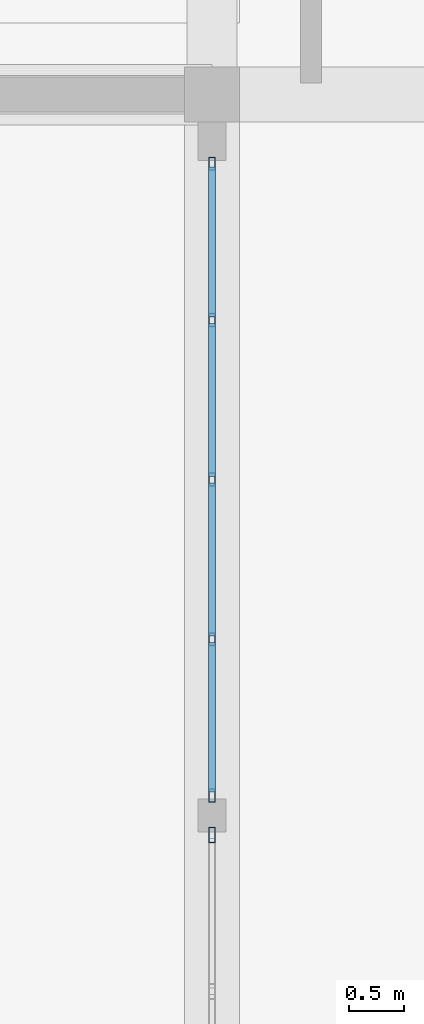
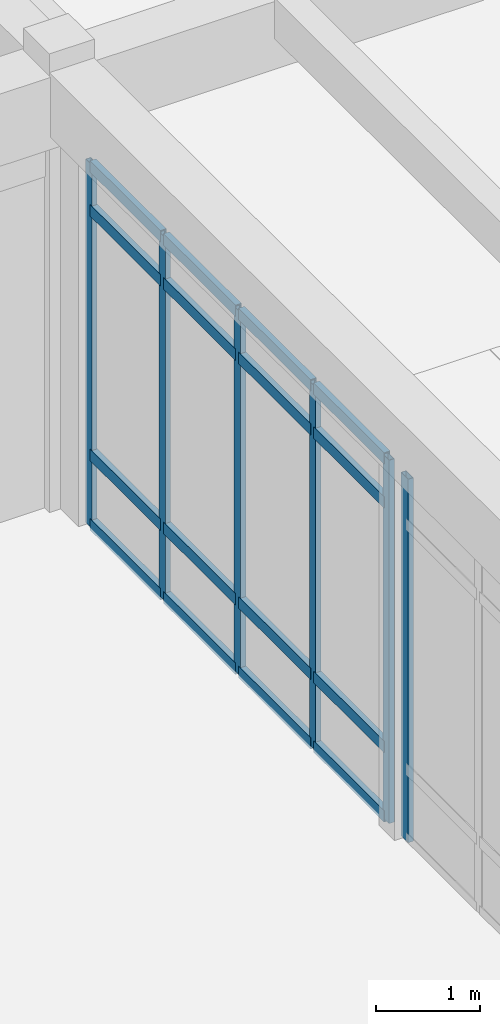
# One storey, part 45 of 138: 22 members, 2 elements without a shape of their own.
"""IFC4 building model written with IfcOpenShell, lengths in metres."""

import ifcopenshell
import ifcopenshell.guid

model = None  # the IFC model being written
_history = None  # IfcOwnerHistory: only IFC2X3 demands one
_inside = {}  # id of a spatial element -> (the spatial element, [elements in it])
_under = {}  # id of a project, library or spatial element -> (it, [spatial elements below it])
_declared = {}  # id of a project -> (the project, [libraries it declares])
_typed = {}  # id of a type object -> (the type object, [elements of that type])
_made_of = {}  # id of a material, layer set ... -> (it, [elements and type objects made of it])


def new_model(schema):
    """Start an empty IFC model of exactly this schema.

    Asked for "IFC4X3", IfcOpenShell would pick the latest addendum, in which some entities
    have other attributes; the version numbers below select the first issue.
    IFC2X3 requires an IfcOwnerHistory on every rooted entity: one is made here for all.
    """
    global model, _history
    if schema == "IFC4X3":
        model = ifcopenshell.file(schema_version=(4, 3, 0, 0))
    else:
        model = ifcopenshell.file(schema=schema)
    _inside.clear()
    _under.clear()
    _declared.clear()
    _typed.clear()
    _made_of.clear()
    _history = None
    if model.schema == "IFC2X3":
        org = make("IfcOrganization", Name="unknown")
        user = make(
            "IfcPersonAndOrganization",
            ThePerson=make("IfcPerson", FamilyName="unknown"),
            TheOrganization=org,
        )
        app = make(
            "IfcApplication",
            ApplicationDeveloper=org,
            Version="unknown",
            ApplicationFullName="unknown",
            ApplicationIdentifier="unknown",
        )
        _history = make(
            "IfcOwnerHistory",
            OwningUser=user,
            OwningApplication=app,
            ChangeAction="ADDED",
            CreationDate=0,
        )
    return model


def make(cls, **values):
    """One entity of the class cls with the attributes given. An attribute that is None is left unset."""
    return model.create_entity(
        cls, **{name: value for name, value in values.items() if value is not None}
    )


def rooted(cls, **values):
    """An entity with a GlobalId (a new one), such as an element, a storey or a relation."""
    return make(cls, GlobalId=ifcopenshell.guid.new(), OwnerHistory=_history, **values)


def si_unit(unit_type, name, prefix=None):
    """IfcSIUnit, for example si_unit("LENGTHUNIT", "METRE", prefix="MILLI")."""
    return make("IfcSIUnit", UnitType=unit_type, Prefix=prefix, Name=name)


def assignment(units):
    """IfcUnitAssignment: the units of a project."""
    return None if units is None else make("IfcUnitAssignment", Units=units)


def point(xyz):
    """IfcCartesianPoint."""
    return None if xyz is None else make("IfcCartesianPoint", Coordinates=xyz)


def direction(xyz):
    """IfcDirection."""
    return None if xyz is None else make("IfcDirection", DirectionRatios=xyz)


def frame(location, z_axis=None, x_axis=None):
    """IfcAxis2Placement3D, a coordinate frame: its origin and axes. An axis left out is left unset."""
    return make(
        "IfcAxis2Placement3D",
        Location=point(location),
        Axis=direction(z_axis),
        RefDirection=direction(x_axis),
    )


def frame_2d(location, x_axis=None):
    """IfcAxis2Placement2D, a coordinate frame in the plane: its origin and x axis."""
    return make(
        "IfcAxis2Placement2D", Location=point(location), RefDirection=direction(x_axis)
    )


def origin():
    """The frame at (0, 0, 0) with its axes left unset."""
    return frame((0.0, 0.0, 0.0))


def origin_2d():
    """The frame at (0, 0) in the plane with its x axis left unset."""
    return frame_2d((0.0, 0.0))


def place(relative_to, where):
    """IfcLocalPlacement: puts the frame where relative to a parent placement (None: the world)."""
    return make(
        "IfcLocalPlacement", PlacementRelTo=relative_to, RelativePlacement=where
    )


def context(
    kind, dimensions, precision=None, world=None, true_north=None, identifier=None
):
    """IfcGeometricRepresentationContext, for example the 3D "Model" context."""
    return make(
        "IfcGeometricRepresentationContext",
        ContextIdentifier=identifier,
        ContextType=kind,
        CoordinateSpaceDimension=dimensions,
        Precision=precision,
        WorldCoordinateSystem=world,
        TrueNorth=true_north,
    )


def subcontext(parent, identifier, kind, view, scale=None):
    """IfcGeometricRepresentationSubContext, for example "Body" below "Model"."""
    return make(
        "IfcGeometricRepresentationSubContext",
        ContextIdentifier=identifier,
        ContextType=kind,
        ParentContext=parent,
        TargetScale=scale,
        TargetView=view,
    )


def project(units=None, contexts=None):
    """IfcProject with its units and contexts."""
    return rooted(
        "IfcProject",
        Name="project",
        RepresentationContexts=contexts,
        UnitsInContext=assignment(units),
    )


def spatial(cls, under=None, at=None, **own):
    """A site, building, storey or space (cls), placed at a placement, below another one or the project."""
    s = rooted(cls, ObjectPlacement=at, **own)
    if under is not None:
        _under.setdefault(under.id(), (under, []))[1].append(s)
    return s


def profile(cls, at=None, kind="AREA", **sizes):
    """A parametric profile (cls). Its sizes go by their IFC names, for example OverallWidth=200.0."""
    return make(cls, ProfileType=kind, Position=at, **sizes)


def hollow_rectangle(**sizes):
    """IfcRectangleHollowProfileDef."""
    return profile("IfcRectangleHollowProfileDef", **sizes)


def extrude(swept, where, along, depth):
    """IfcExtrudedAreaSolid: the profile swept, set in the frame where, extruded along a direction by depth."""
    return make(
        "IfcExtrudedAreaSolid",
        SweptArea=swept,
        Position=where,
        ExtrudedDirection=direction(along),
        Depth=depth,
    )


def shape(context_of_items, identifier, shape_type, items):
    """IfcShapeRepresentation: the items that make up one representation, for example the "Body"."""
    return make(
        "IfcShapeRepresentation",
        ContextOfItems=context_of_items,
        RepresentationIdentifier=identifier,
        RepresentationType=shape_type,
        Items=items,
    )


def material(Name=None, Category=None):
    """IfcMaterial."""
    return make("IfcMaterial", Name=Name, Category=Category)


def layer(
    of_material, thickness, ventilated=None, Name=None, Category=None, Priority=None
):
    """IfcMaterialLayer: one layer of a wall or slab, of a material (None: an air gap)."""
    return make(
        "IfcMaterialLayer",
        Material=of_material,
        LayerThickness=thickness,
        IsVentilated=ventilated,
        Name=Name,
        Category=Category,
        Priority=Priority,
    )


def layer_set(layers, Name=None):
    """IfcMaterialLayerSet."""
    return make("IfcMaterialLayerSet", MaterialLayers=layers, LayerSetName=Name)


def material_profile(
    of_material, cross_section, Name=None, Category=None, Priority=None
):
    """IfcMaterialProfile: a cross section and its material."""
    return make(
        "IfcMaterialProfile",
        Name=Name,
        Material=of_material,
        Profile=cross_section,
        Priority=Priority,
        Category=Category,
    )


def profile_set(profiles, Name=None, composite=None):
    """IfcMaterialProfileSet."""
    return make(
        "IfcMaterialProfileSet",
        Name=Name,
        MaterialProfiles=profiles,
        CompositeProfile=composite,
    )


def made_of(thing, what):
    """Note that an element or type object is made of a material, layer set ...; save() writes the relation."""
    if what is not None:
        _made_of.setdefault(what.id(), (what, []))[1].append(thing)
    return thing


def type_object(cls, material=None, **own):
    """A type object (cls), such as IfcWallType, which elements share."""
    return made_of(rooted(cls, **own), material)


def element(
    cls,
    number,
    at=None,
    inside=None,
    cuts=None,
    type_object=None,
    material=None,
    context=None,
    identifier="Body",
    shape_type=None,
    held_by="IfcProductDefinitionShape",
    body=None,
    shapes=None,
    **own,
):
    """One element of the class cls, such as IfcWall. Its Tag is "e" and its number.

    at: its placement. inside: the storey or other place that contains it. cuts: it is an
    opening in that element (IfcRelVoidsElement). A single representation is given by context,
    identifier, shape_type and body (its items); several are given by shapes. held_by: the class
    of the entity that holds the representations. save() writes the other relations.
    """
    e = rooted(cls, Tag="e%d" % number, ObjectPlacement=at, **own)
    if body is not None:
        shapes = [shape(context, identifier, shape_type, body)]
    if shapes is not None:
        e.Representation = make(held_by, Representations=shapes)
    if inside is not None:
        _inside.setdefault(inside.id(), (inside, []))[1].append(e)
    if cuts is not None:
        rooted(
            "IfcRelVoidsElement", RelatingBuildingElement=cuts, RelatedOpeningElement=e
        )
    if type_object is not None:
        _typed.setdefault(type_object.id(), (type_object, []))[1].append(e)
    return made_of(e, material)


def aggregate(whole, parts):
    """IfcRelAggregates: a whole, such as a stair, and the parts it consists of."""
    return rooted("IfcRelAggregates", RelatingObject=whole, RelatedObjects=parts)


def save(model, path):
    """Write the relations noted so far, then the file.

    IfcRelAggregates (storeys below a building ...), IfcRelContainedInSpatialStructure (elements
    in a storey), IfcRelDefinesByType, IfcRelAssociatesMaterial and IfcRelDeclares: one each for
    every whole, place, type object, material and project.
    """
    for whole, parts in _under.values():
        aggregate(whole, parts)
    for where, things in _inside.values():
        rooted(
            "IfcRelContainedInSpatialStructure",
            RelatedElements=things,
            RelatingStructure=where,
        )
    for kind, things in _typed.values():
        rooted("IfcRelDefinesByType", RelatedObjects=things, RelatingType=kind)
    for what, things in _made_of.values():
        rooted("IfcRelAssociatesMaterial", RelatedObjects=things, RelatingMaterial=what)
    for by, libraries in _declared.values():
        rooted("IfcRelDeclares", RelatingContext=by, RelatedDefinitions=libraries)
    model.write(path)


model = new_model("IFC4")

# Units and contexts
model_context = context("Model", 3, precision=1e-05, world=origin(), true_north=direction((0.0, 1.0)))
body_context = subcontext(model_context, "Body", "Model", "MODEL_VIEW")
ifc_project = project(units=[si_unit("LENGTHUNIT", "METRE"), si_unit("AREAUNIT", "SQUARE_METRE"), si_unit("VOLUMEUNIT", "CUBIC_METRE"), si_unit("PLANEANGLEUNIT", "RADIAN"), si_unit("MASSUNIT", "GRAM", prefix="KILO")], contexts=[model_context])

# Site, building, storey
site_placement = place(None, origin())
site = spatial("IfcSite", under=ifc_project, at=site_placement, CompositionType="ELEMENT")
building_placement = place(site_placement, origin())
building = spatial("IfcBuilding", under=site, at=building_placement, Name="Fikremerkos Civic Library", CompositionType="ELEMENT")
storey_placement = place(building_placement, origin())
storey = spatial("IfcBuildingStorey", under=building, at=storey_placement, Name="L00", CompositionType="ELEMENT", Elevation=0.0)

# Curtain wall, member
ifc_material = material(Name="Anodized aluminium Frame", Category="aluminium")
ifc_layer_1 = layer(ifc_material, 0.159912109375, Name="Anodized aluminium Frame")
ifc_layer_set_1 = layer_set([ifc_layer_1], Name="Anodized aluminium Frame")
curtain_wall_type_1 = type_object("IfcCurtainWallType", Name="Unitised curtain wall CW-11 3200x3400", PredefinedType="USERDEFINED", material=ifc_layer_set_1)
curtain_wall_1_placement = place(storey_placement, origin())
curtain_wall_1 = element("IfcCurtainWall", 1, at=curtain_wall_1_placement, inside=storey, type_object=curtain_wall_type_1, Name="Unitised curtain wall CW-11 L00 #29", ObjectType="UNITISED CURTAIN WALL", PredefinedType="USERDEFINED")
ifc_material_profile_1 = material_profile(ifc_material, hollow_rectangle(XDim=0.06005859375, YDim=0.139892578125, WallThickness=0.00390625, at=origin_2d()), Name="ALU 140x60x4")
ifc_profile_set_1 = profile_set([ifc_material_profile_1], Name="Anodized aluminium Frame")
member_type_1 = type_object("IfcMemberType", Name="Curtain mullion CWM-03 ALU 140x60x4", PredefinedType="MULLION", material=ifc_profile_set_1)
member_1_placement = place(storey_placement, frame((124.800048828125, 89.279052734375, 0.0), z_axis=(0.0, 0.0, 1.0), x_axis=(-1.0, 0.0, 0.0)))
member_1 = element("IfcMember", 2, at=member_1_placement, type_object=member_type_1, Name="CW-11 mullion 5", PredefinedType="MULLION", context=body_context, shape_type="SweptSolid", body=[
    extrude(hollow_rectangle(XDim=0.06005859375, YDim=0.139892578125, WallThickness=0.00390625, at=origin_2d()), origin(), (0.0, 0.0, 1.0), 4.280029296875),
])
aggregate(curtain_wall_1, [member_1])

# Curtain wall, members
ifc_layer_2 = layer(ifc_material, 0.159912109375, Name="Anodized aluminium Frame")
ifc_layer_set_2 = layer_set([ifc_layer_2], Name="Anodized aluminium Frame")
curtain_wall_type_2 = type_object("IfcCurtainWallType", Name="Unitised curtain wall CW-12 4300x3400", PredefinedType="USERDEFINED", material=ifc_layer_set_2)
curtain_wall_2_placement = place(storey_placement, origin())
curtain_wall_2 = element("IfcCurtainWall", 3, at=curtain_wall_2_placement, inside=storey, type_object=curtain_wall_type_2, Name="Unitised curtain wall CW-12 L00 #30", ObjectType="UNITISED CURTAIN WALL", PredefinedType="USERDEFINED")
ifc_material_profile_2 = material_profile(ifc_material, hollow_rectangle(XDim=0.06005859375, YDim=0.1201171875, WallThickness=0.00390625, at=origin_2d()), Name="ALU 120x60x4")
ifc_profile_set_2 = profile_set([ifc_material_profile_2], Name="Anodized aluminium Frame")
member_type_2 = type_object("IfcMemberType", Name="Curtain mullion CWM-04 ALU 120x60x4", PredefinedType="MULLION", material=ifc_profile_set_2)
member_2_placement = place(storey_placement, frame((124.800048828125, 89.638916015625, 0.0), z_axis=(0.0, 0.0, 1.0), x_axis=(-1.0, 0.0, 0.0)))
member_2 = element("IfcMember", 4, at=member_2_placement, type_object=member_type_2, Name="CW-12 mullion 1", PredefinedType="MULLION", context=body_context, shape_type="SweptSolid", body=[
    extrude(hollow_rectangle(XDim=0.06005859375, YDim=0.1201171875, WallThickness=0.00390625, at=origin_2d()), origin(), (0.0, 0.0, 1.0), 4.280029296875),
])
member_3_placement = place(storey_placement, frame((124.800048828125, 91.05712890625, 0.0), z_axis=(0.0, 0.0, 1.0), x_axis=(-1.0, 0.0, 0.0)))
member_3 = element("IfcMember", 5, at=member_3_placement, type_object=member_type_2, Name="CW-12 mullion 2", PredefinedType="MULLION", context=body_context, shape_type="SweptSolid", body=[
    extrude(hollow_rectangle(XDim=0.06005859375, YDim=0.1201171875, WallThickness=0.00390625, at=origin_2d()), origin(), (0.0, 0.0, 1.0), 4.280029296875),
])
member_4_placement = place(storey_placement, frame((124.800048828125, 92.505615234375, 0.0), z_axis=(0.0, 0.0, 1.0), x_axis=(-1.0, 0.0, 0.0)))
member_4 = element("IfcMember", 6, at=member_4_placement, type_object=member_type_2, Name="CW-12 mullion 3", PredefinedType="MULLION", context=body_context, shape_type="SweptSolid", body=[
    extrude(hollow_rectangle(XDim=0.06005859375, YDim=0.1201171875, WallThickness=0.00390625, at=origin_2d()), origin(), (0.0, 0.0, 1.0), 4.280029296875),
])
member_5_placement = place(storey_placement, frame((124.800048828125, 93.953857421875, 0.0), z_axis=(0.0, 0.0, 1.0), x_axis=(-1.0, 0.0, 0.0)))
member_5 = element("IfcMember", 7, at=member_5_placement, type_object=member_type_2, Name="CW-12 mullion 4", PredefinedType="MULLION", context=body_context, shape_type="SweptSolid", body=[
    extrude(hollow_rectangle(XDim=0.06005859375, YDim=0.1201171875, WallThickness=0.00390625, at=origin_2d()), origin(), (0.0, 0.0, 1.0), 4.280029296875),
])
member_6_placement = place(storey_placement, frame((124.800048828125, 95.3720703125, 0.0), z_axis=(0.0, 0.0, 1.0), x_axis=(-1.0, 0.0, 0.0)))
member_6 = element("IfcMember", 8, at=member_6_placement, type_object=member_type_2, Name="CW-12 mullion 5", PredefinedType="MULLION", context=body_context, shape_type="SweptSolid", body=[
    extrude(hollow_rectangle(XDim=0.06005859375, YDim=0.1201171875, WallThickness=0.00390625, at=origin_2d()), origin(), (0.0, 0.0, 1.0), 4.280029296875),
])
ifc_material_profile_3 = material_profile(ifc_material, hollow_rectangle(XDim=0.06494140625, YDim=0.135009765625, WallThickness=0.00439453125, at=origin_2d()), Name="ALU 135x65x4.5")
ifc_profile_set_3 = profile_set([ifc_material_profile_3], Name="Anodized aluminium Frame")
member_type_3 = type_object("IfcMemberType", Name="Curtain transom CWT-02 ALU 135x65x4.5", PredefinedType="USERDEFINED", material=ifc_profile_set_3)
member_7_placement = place(storey_placement, frame((124.800048828125, 89.6689453125, 0.032470703125), z_axis=(0.0, 1.0, 0.0), x_axis=(-1.0, 0.0, 0.0)))
member_7 = element("IfcMember", 9, at=member_7_placement, type_object=member_type_3, Name="CW-12 transom 1.1", ObjectType="TRANSOM", PredefinedType="USERDEFINED", context=body_context, shape_type="SweptSolid", body=[
    extrude(hollow_rectangle(XDim=0.06494140625, YDim=0.135009765625, WallThickness=0.00439453125, at=origin_2d()), origin(), (0.0, 0.0, 1.0), 1.3583984375),
])
member_8_placement = place(storey_placement, frame((124.800048828125, 89.6689453125, 0.85009765625), z_axis=(0.0, 1.0, 0.0), x_axis=(-1.0, 0.0, 0.0)))
member_8 = element("IfcMember", 10, at=member_8_placement, type_object=member_type_3, Name="CW-12 transom 1.2", ObjectType="TRANSOM", PredefinedType="USERDEFINED", context=body_context, shape_type="SweptSolid", body=[
    extrude(hollow_rectangle(XDim=0.06494140625, YDim=0.135009765625, WallThickness=0.00439453125, at=origin_2d()), origin(), (0.0, 0.0, 1.0), 1.3583984375),
])
member_9_placement = place(storey_placement, frame((124.800048828125, 89.6689453125, 3.72998046875), z_axis=(0.0, 1.0, 0.0), x_axis=(-1.0, 0.0, 0.0)))
member_9 = element("IfcMember", 11, at=member_9_placement, type_object=member_type_3, Name="CW-12 transom 1.3", ObjectType="TRANSOM", PredefinedType="USERDEFINED", context=body_context, shape_type="SweptSolid", body=[
    extrude(hollow_rectangle(XDim=0.06494140625, YDim=0.135009765625, WallThickness=0.00439453125, at=origin_2d()), origin(), (0.0, 0.0, 1.0), 1.3583984375),
])
member_10_placement = place(storey_placement, frame((124.800048828125, 89.6689453125, 4.24755859375), z_axis=(0.0, 1.0, 0.0), x_axis=(-1.0, 0.0, 0.0)))
member_10 = element("IfcMember", 12, at=member_10_placement, type_object=member_type_3, Name="CW-12 transom 1.4", ObjectType="TRANSOM", PredefinedType="USERDEFINED", context=body_context, shape_type="SweptSolid", body=[
    extrude(hollow_rectangle(XDim=0.06494140625, YDim=0.135009765625, WallThickness=0.00439453125, at=origin_2d()), origin(), (0.0, 0.0, 1.0), 1.3583984375),
])
member_11_placement = place(storey_placement, frame((124.800048828125, 91.087158203125, 0.032470703125), z_axis=(0.0, 1.0, 0.0), x_axis=(-1.0, 0.0, 0.0)))
member_11 = element("IfcMember", 13, at=member_11_placement, type_object=member_type_3, Name="CW-12 transom 2.1", ObjectType="TRANSOM", PredefinedType="USERDEFINED", context=body_context, shape_type="SweptSolid", body=[
    extrude(hollow_rectangle(XDim=0.06494140625, YDim=0.135009765625, WallThickness=0.00439453125, at=origin_2d()), origin(), (0.0, 0.0, 1.0), 1.388427734375),
])
member_12_placement = place(storey_placement, frame((124.800048828125, 91.087158203125, 0.85009765625), z_axis=(0.0, 1.0, 0.0), x_axis=(-1.0, 0.0, 0.0)))
member_12 = element("IfcMember", 14, at=member_12_placement, type_object=member_type_3, Name="CW-12 transom 2.2", ObjectType="TRANSOM", PredefinedType="USERDEFINED", context=body_context, shape_type="SweptSolid", body=[
    extrude(hollow_rectangle(XDim=0.06494140625, YDim=0.135009765625, WallThickness=0.00439453125, at=origin_2d()), origin(), (0.0, 0.0, 1.0), 1.388427734375),
])
member_13_placement = place(storey_placement, frame((124.800048828125, 91.087158203125, 3.72998046875), z_axis=(0.0, 1.0, 0.0), x_axis=(-1.0, 0.0, 0.0)))
member_13 = element("IfcMember", 15, at=member_13_placement, type_object=member_type_3, Name="CW-12 transom 2.3", ObjectType="TRANSOM", PredefinedType="USERDEFINED", context=body_context, shape_type="SweptSolid", body=[
    extrude(hollow_rectangle(XDim=0.06494140625, YDim=0.135009765625, WallThickness=0.00439453125, at=origin_2d()), origin(), (0.0, 0.0, 1.0), 1.388427734375),
])
member_14_placement = place(storey_placement, frame((124.800048828125, 91.087158203125, 4.24755859375), z_axis=(0.0, 1.0, 0.0), x_axis=(-1.0, 0.0, 0.0)))
member_14 = element("IfcMember", 16, at=member_14_placement, type_object=member_type_3, Name="CW-12 transom 2.4", ObjectType="TRANSOM", PredefinedType="USERDEFINED", context=body_context, shape_type="SweptSolid", body=[
    extrude(hollow_rectangle(XDim=0.06494140625, YDim=0.135009765625, WallThickness=0.00439453125, at=origin_2d()), origin(), (0.0, 0.0, 1.0), 1.388427734375),
])
member_15_placement = place(storey_placement, frame((124.800048828125, 92.535400390625, 0.032470703125), z_axis=(0.0, 1.0, 0.0), x_axis=(-1.0, 0.0, 0.0)))
member_15 = element("IfcMember", 17, at=member_15_placement, type_object=member_type_3, Name="CW-12 transom 3.1", ObjectType="TRANSOM", PredefinedType="USERDEFINED", context=body_context, shape_type="SweptSolid", body=[
    extrude(hollow_rectangle(XDim=0.06494140625, YDim=0.135009765625, WallThickness=0.00439453125, at=origin_2d()), origin(), (0.0, 0.0, 1.0), 1.388427734375),
])
member_16_placement = place(storey_placement, frame((124.800048828125, 92.535400390625, 0.85009765625), z_axis=(0.0, 1.0, 0.0), x_axis=(-1.0, 0.0, 0.0)))
member_16 = element("IfcMember", 18, at=member_16_placement, type_object=member_type_3, Name="CW-12 transom 3.2", ObjectType="TRANSOM", PredefinedType="USERDEFINED", context=body_context, shape_type="SweptSolid", body=[
    extrude(hollow_rectangle(XDim=0.06494140625, YDim=0.135009765625, WallThickness=0.00439453125, at=origin_2d()), origin(), (0.0, 0.0, 1.0), 1.388427734375),
])
member_17_placement = place(storey_placement, frame((124.800048828125, 92.535400390625, 3.72998046875), z_axis=(0.0, 1.0, 0.0), x_axis=(-1.0, 0.0, 0.0)))
member_17 = element("IfcMember", 19, at=member_17_placement, type_object=member_type_3, Name="CW-12 transom 3.3", ObjectType="TRANSOM", PredefinedType="USERDEFINED", context=body_context, shape_type="SweptSolid", body=[
    extrude(hollow_rectangle(XDim=0.06494140625, YDim=0.135009765625, WallThickness=0.00439453125, at=origin_2d()), origin(), (0.0, 0.0, 1.0), 1.388427734375),
])
member_18_placement = place(storey_placement, frame((124.800048828125, 92.535400390625, 4.24755859375), z_axis=(0.0, 1.0, 0.0), x_axis=(-1.0, 0.0, 0.0)))
member_18 = element("IfcMember", 20, at=member_18_placement, type_object=member_type_3, Name="CW-12 transom 3.4", ObjectType="TRANSOM", PredefinedType="USERDEFINED", context=body_context, shape_type="SweptSolid", body=[
    extrude(hollow_rectangle(XDim=0.06494140625, YDim=0.135009765625, WallThickness=0.00439453125, at=origin_2d()), origin(), (0.0, 0.0, 1.0), 1.388427734375),
])
member_19_placement = place(storey_placement, frame((124.800048828125, 93.983642578125, 0.032470703125), z_axis=(0.0, 1.0, 0.0), x_axis=(-1.0, 0.0, 0.0)))
member_19 = element("IfcMember", 21, at=member_19_placement, type_object=member_type_3, Name="CW-12 transom 4.1", ObjectType="TRANSOM", PredefinedType="USERDEFINED", context=body_context, shape_type="SweptSolid", body=[
    extrude(hollow_rectangle(XDim=0.06494140625, YDim=0.135009765625, WallThickness=0.00439453125, at=origin_2d()), origin(), (0.0, 0.0, 1.0), 1.3583984375),
])
member_20_placement = place(storey_placement, frame((124.800048828125, 93.983642578125, 0.85009765625), z_axis=(0.0, 1.0, 0.0), x_axis=(-1.0, 0.0, 0.0)))
member_20 = element("IfcMember", 22, at=member_20_placement, type_object=member_type_3, Name="CW-12 transom 4.2", ObjectType="TRANSOM", PredefinedType="USERDEFINED", context=body_context, shape_type="SweptSolid", body=[
    extrude(hollow_rectangle(XDim=0.06494140625, YDim=0.135009765625, WallThickness=0.00439453125, at=origin_2d()), origin(), (0.0, 0.0, 1.0), 1.3583984375),
])
member_21_placement = place(storey_placement, frame((124.800048828125, 93.983642578125, 3.72998046875), z_axis=(0.0, 1.0, 0.0), x_axis=(-1.0, 0.0, 0.0)))
member_21 = element("IfcMember", 23, at=member_21_placement, type_object=member_type_3, Name="CW-12 transom 4.3", ObjectType="TRANSOM", PredefinedType="USERDEFINED", context=body_context, shape_type="SweptSolid", body=[
    extrude(hollow_rectangle(XDim=0.06494140625, YDim=0.135009765625, WallThickness=0.00439453125, at=origin_2d()), origin(), (0.0, 0.0, 1.0), 1.3583984375),
])
member_22_placement = place(storey_placement, frame((124.800048828125, 93.983642578125, 4.24755859375), z_axis=(0.0, 1.0, 0.0), x_axis=(-1.0, 0.0, 0.0)))
member_22 = element("IfcMember", 24, at=member_22_placement, type_object=member_type_3, Name="CW-12 transom 4.4", ObjectType="TRANSOM", PredefinedType="USERDEFINED", context=body_context, shape_type="SweptSolid", body=[
    extrude(hollow_rectangle(XDim=0.06494140625, YDim=0.135009765625, WallThickness=0.00439453125, at=origin_2d()), origin(), (0.0, 0.0, 1.0), 1.3583984375),
])
aggregate(curtain_wall_2, [member_2, member_3, member_4, member_5, member_6, member_7, member_8, member_9, member_10, member_11, member_12, member_13, member_14, member_15, member_16, member_17, member_18, member_19, member_20, member_21, member_22])

save(model, "model.ifc")
